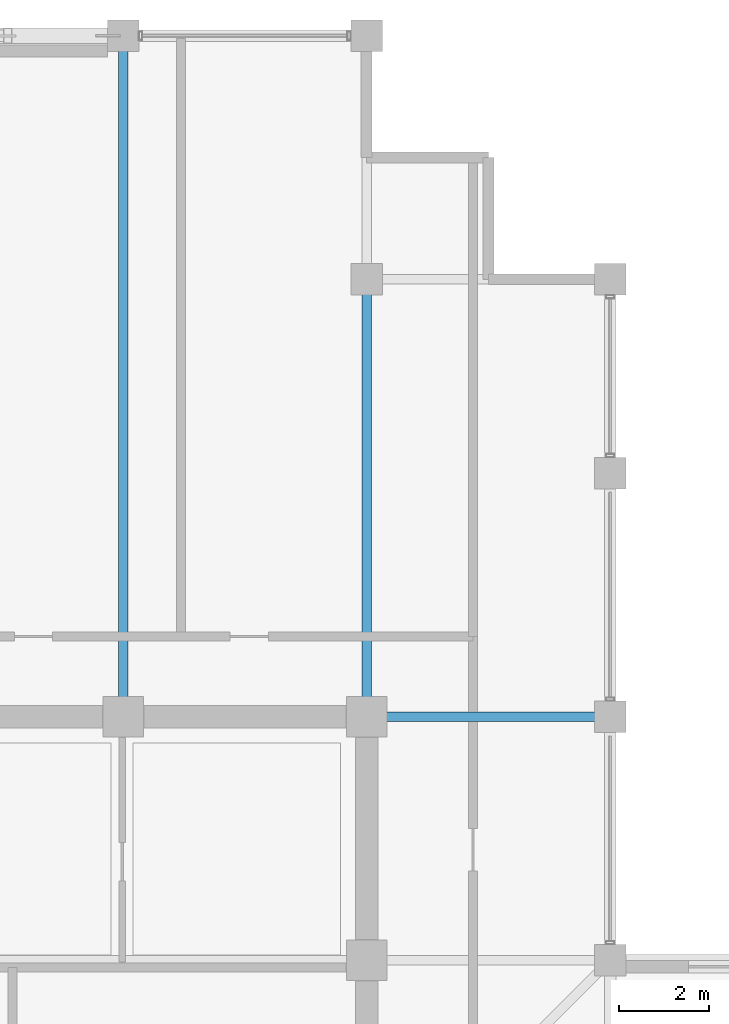
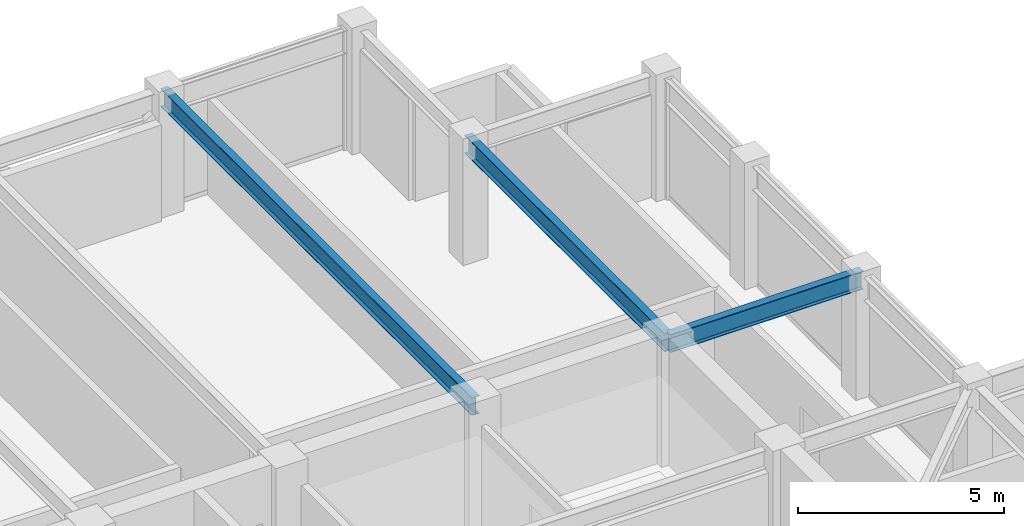
# One storey, part 20 of 32: 3 beams.
"""IFC4 building model written with IfcOpenShell, lengths in metres."""

from ifc_helpers import new_model, si_unit, direction, frame, origin, origin_2d, place, context, subcontext, project, spatial, i_section, extrude, material, material_profile, profile_set, type_object, element, save


model = new_model("IFC4")

# Units and contexts
model_context = context("Model", 3, precision=1e-05, world=origin(), true_north=direction((0.0, 1.0)))
body_context = subcontext(model_context, "Body", "Model", "MODEL_VIEW")
ifc_project = project(units=[si_unit("LENGTHUNIT", "METRE"), si_unit("AREAUNIT", "SQUARE_METRE"), si_unit("VOLUMEUNIT", "CUBIC_METRE"), si_unit("PLANEANGLEUNIT", "RADIAN"), si_unit("MASSUNIT", "GRAM", prefix="KILO")], contexts=[model_context])

# Site, building, storey
site_placement = place(None, origin())
site = spatial("IfcSite", under=ifc_project, at=site_placement, CompositionType="ELEMENT")
building_placement = place(site_placement, origin())
building = spatial("IfcBuilding", under=site, at=building_placement, Name="Surkhivell Harbour Commons", CompositionType="ELEMENT")
storey_placement = place(building_placement, frame((0.0, 0.0, 311.25)))
storey = spatial("IfcBuildingStorey", under=building, at=storey_placement, Name="L81", CompositionType="ELEMENT", Elevation=311.25)

# Beams
ifc_material = material(Name="Steel S355", Category="steel")
ifc_material_profile = material_profile(ifc_material, i_section(OverallWidth=0.2099609375, OverallDepth=0.537109375, WebThickness=0.0107421875, FlangeThickness=0.017333984375, at=origin_2d()), Name="UB533x210x101")
ifc_profile_set = profile_set([ifc_material_profile], Name="Steel S355")
beam_type = type_object("IfcBeamType", Name="BM-GRD-533B", PredefinedType="BEAM", material=ifc_profile_set)
beam_1_placement = place(storey_placement, frame((5.39990234375, 10.800048828125, 3.301513671875), z_axis=(0.0, 1.0, 0.0), x_axis=(-1.0, 0.0, 0.0)))
element("IfcBeam", 1, at=beam_1_placement, inside=storey, type_object=beam_type, Name="L81 Floor Girder (5.4,10.8)", PredefinedType="BEAM", context=body_context, shape_type="SweptSolid", body=[
    extrude(i_section(OverallWidth=0.2099609375, OverallDepth=0.537109375, WebThickness=0.0107421875, FlangeThickness=0.017333984375, at=origin_2d()), origin(), (0.0, 0.0, 1.0), 15.099853515625),
])
beam_2_placement = place(storey_placement, frame((10.800048828125, 10.800048828125, 3.301513671875), z_axis=(0.0, 1.0, 0.0), x_axis=(-1.0, 0.0, 0.0)))
element("IfcBeam", 2, at=beam_2_placement, inside=storey, type_object=beam_type, Name="L81 Floor Girder (10.8,10.8)", PredefinedType="BEAM", context=body_context, shape_type="SweptSolid", body=[
    extrude(i_section(OverallWidth=0.2099609375, OverallDepth=0.537109375, WebThickness=0.0107421875, FlangeThickness=0.017333984375, at=origin_2d()), origin(), (0.0, 0.0, 1.0), 9.699951171875),
])
beam_3_placement = place(storey_placement, frame((10.800048828125, 10.800048828125, 3.301513671875), z_axis=(1.0, 0.0, 0.0), x_axis=(0.0, 1.0, 0.0)))
element("IfcBeam", 3, at=beam_3_placement, inside=storey, type_object=beam_type, Name="L81 Floor Girder (10.8,10.8)", PredefinedType="BEAM", context=body_context, shape_type="SweptSolid", body=[
    extrude(i_section(OverallWidth=0.2099609375, OverallDepth=0.537109375, WebThickness=0.0107421875, FlangeThickness=0.017333984375, at=origin_2d()), origin(), (0.0, 0.0, 1.0), 5.39990234375),
])

save(model, "model.ifc")
